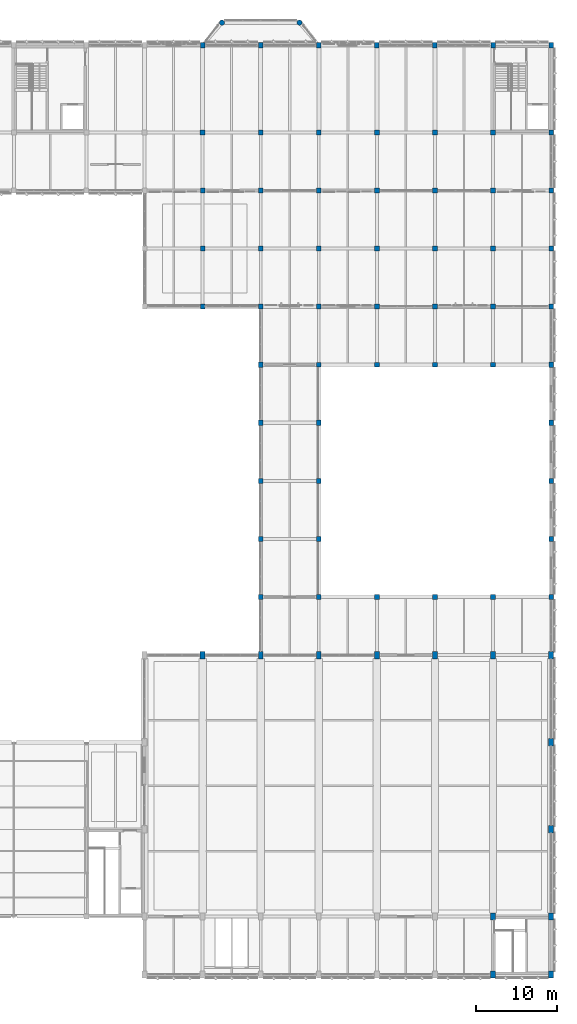
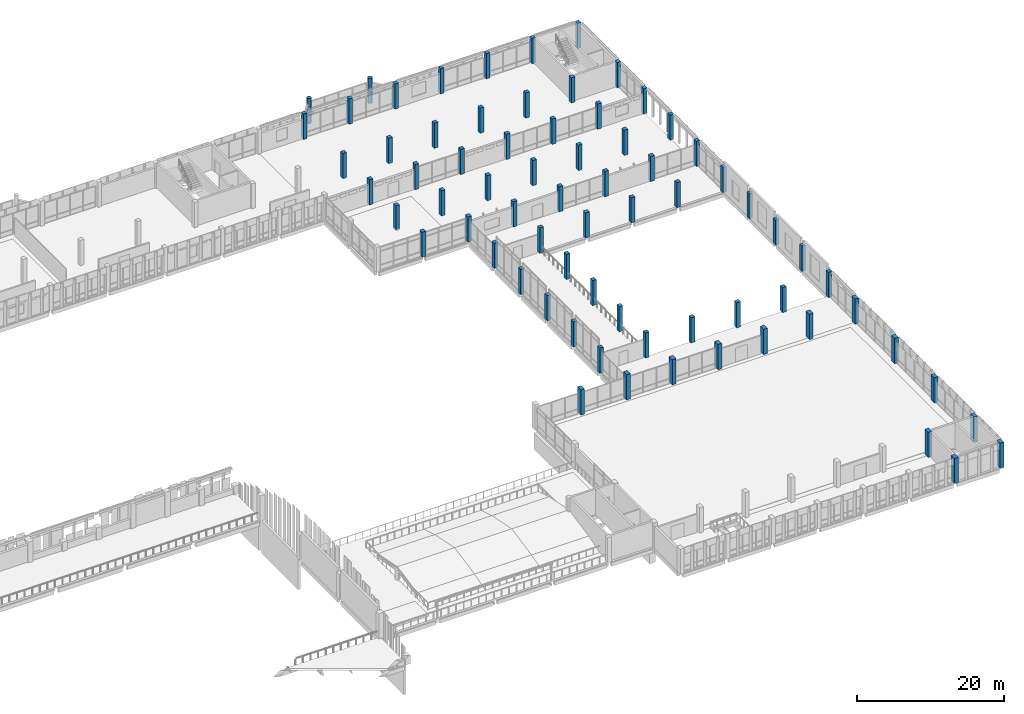
# One storey, part 5 of 158: 71 columns.
"""IFC4 building model written with IfcOpenShell, lengths in metres."""

from ifc_helpers import new_model, si_unit, direction, frame, origin, origin_2d, place, context, subcontext, project, spatial, rectangle, circle, extrude, material, material_profile, profile_set, type_object, element, save


model = new_model("IFC4")

# Units and contexts
model_context = context("Model", 3, precision=1e-05, world=origin(), true_north=direction((0.0, 1.0)))
body_context = subcontext(model_context, "Body", "Model", "MODEL_VIEW")
ifc_project = project(units=[si_unit("LENGTHUNIT", "METRE"), si_unit("AREAUNIT", "SQUARE_METRE"), si_unit("VOLUMEUNIT", "CUBIC_METRE"), si_unit("PLANEANGLEUNIT", "RADIAN"), si_unit("MASSUNIT", "GRAM", prefix="KILO")], contexts=[model_context])

# Site, building, storey
site_placement = place(None, origin())
site = spatial("IfcSite", under=ifc_project, at=site_placement, CompositionType="ELEMENT")
building_placement = place(site_placement, origin())
building = spatial("IfcBuilding", under=site, at=building_placement, Name="Lusvemor Sports Hall", CompositionType="ELEMENT")
storey_placement = place(building_placement, frame((0.0, 0.0, 10.800048828125)))
storey = spatial("IfcBuildingStorey", under=building, at=storey_placement, Name="L02", CompositionType="ELEMENT", Elevation=10.800048828125)

# Columns
ifc_material_1 = material(Name="Concrete C40/50", Category="concrete")
ifc_material_profile_1 = material_profile(ifc_material_1, circle(Radius=0.324951171875, at=origin_2d()), Name="RCCIRC650")
ifc_profile_set_1 = profile_set([ifc_material_profile_1], Name="Concrete C40/50")
column_type_1 = type_object("IfcColumnType", Name="COL_COLONNADE", PredefinedType="COLUMN", material=ifc_profile_set_1)
for number, where, z_axis, x_axis, name in (
    (1, (128.39990234375, 118.0, 0.0), (0.0, 0.0, 1.0), (1.0, 0.0, 0.0), "Art Nouveau Bow Column BOW-N3-1 (L02)"),
    (2, (138.0, 118.0, 0.0), (0.0, 0.0, 1.0), (1.0, 0.0, 0.0), "Art Nouveau Bow Column BOW-N3-2 (L02)"),
):
    element("IfcColumn", number, at=place(storey_placement, frame(where, z_axis=z_axis, x_axis=x_axis)), inside=storey, type_object=column_type_1, Name=name, PredefinedType="COLUMN", context=body_context, shape_type="SweptSolid", body=[
        extrude(circle(Radius=0.324951171875, at=origin_2d()), origin(), (0.0, 0.0, 1.0), 4.199951171875),
    ])
ifc_material_2 = material(Name="Concrete C40/50", Category="concrete")
ifc_material_profile_2 = material_profile(ifc_material_2, rectangle(XDim=0.60009765625, YDim=0.89990234375, at=origin_2d()), Name="RC600x900")
ifc_profile_set_2 = profile_set([ifc_material_profile_2], Name="Concrete C40/50")
column_type_2 = type_object("IfcColumnType", Name="COL_STACK_E", PredefinedType="COLUMN", material=ifc_profile_set_2)
for number, where, z_axis, x_axis, name in (
    (3, (126.0, 39.60009765625, 0.0), (0.0, 0.0, 1.0), (1.0, 0.0, 0.0), "Column 14/E (L02)"),
    (4, (133.199951171875, 39.60009765625, 0.0), (0.0, 0.0, 1.0), (1.0, 0.0, 0.0), "Column 15/E (L02)"),
    (5, (140.39990234375, 39.60009765625, 0.0), (0.0, 0.0, 1.0), (1.0, 0.0, 0.0), "Column 16/E (L02)"),
    (6, (147.60009765625, 39.60009765625, 0.0), (0.0, 0.0, 1.0), (1.0, 0.0, 0.0), "Column 17/E (L02)"),
    (7, (154.800048828125, 39.60009765625, 0.0), (0.0, 0.0, 1.0), (1.0, 0.0, 0.0), "Column 18/E (L02)"),
    (8, (162.0, 0.0, 0.0), (0.0, 0.0, 1.0), (1.0, 0.0, 0.0), "Column 19/A (L02)"),
    (9, (162.0, 7.199951171875, 0.0), (0.0, 0.0, 1.0), (1.0, 0.0, 0.0), "Column 19/B (L02)"),
    (10, (162.0, 39.60009765625, 0.0), (0.0, 0.0, 1.0), (1.0, 0.0, 0.0), "Column 19/E (L02)"),
    (11, (169.199951171875, 0.0, 0.0), (0.0, 0.0, 1.0), (1.0, 0.0, 0.0), "Column 20/A (L02)"),
    (12, (169.199951171875, 7.199951171875, 0.0), (0.0, 0.0, 1.0), (1.0, 0.0, 0.0), "Column 20/B (L02)"),
    (13, (169.199951171875, 18.0, 0.0), (0.0, 0.0, 1.0), (1.0, 0.0, 0.0), "Column 20/C (L02)"),
    (14, (169.199951171875, 28.800048828125, 0.0), (0.0, 0.0, 1.0), (1.0, 0.0, 0.0), "Column 20/D (L02)"),
    (15, (169.199951171875, 39.60009765625, 0.0), (0.0, 0.0, 1.0), (1.0, 0.0, 0.0), "Column 20/E (L02)"),
):
    element("IfcColumn", number, at=place(storey_placement, frame(where, z_axis=z_axis, x_axis=x_axis)), inside=storey, type_object=column_type_2, Name=name, PredefinedType="COLUMN", context=body_context, shape_type="SweptSolid", body=[
        extrude(rectangle(XDim=0.60009765625, YDim=0.89990234375, at=origin_2d()), origin(), (0.0, 0.0, 1.0), 4.199951171875),
    ])
ifc_material_3 = material(Name="Concrete C40/50", Category="concrete")
ifc_material_profile_3 = material_profile(ifc_material_3, rectangle(XDim=0.56005859375, YDim=0.639892578125, at=origin_2d()), Name="RC560x640")
ifc_profile_set_3 = profile_set([ifc_material_profile_3], Name="Concrete C40/50")
column_type_3 = type_object("IfcColumnType", Name="COL_WING_E", PredefinedType="COLUMN", material=ifc_profile_set_3)
for number, where, z_axis, x_axis, name in (
    (16, (126.0, 82.800048828125, 0.0), (0.0, 0.0, 1.0), (1.0, 0.0, 0.0), "Column 14/L (L02)"),
    (17, (126.0, 90.0, 0.0), (0.0, 0.0, 1.0), (1.0, 0.0, 0.0), "Column 14/M (L02)"),
    (18, (126.0, 97.199951171875, 0.0), (0.0, 0.0, 1.0), (1.0, 0.0, 0.0), "Column 14/N (L02)"),
    (19, (126.0, 115.199951171875, 0.0), (0.0, 0.0, 1.0), (1.0, 0.0, 0.0), "Column 14/Q (L02)"),
    (20, (133.199951171875, 46.800048828125, 0.0), (0.0, 0.0, 1.0), (1.0, 0.0, 0.0), "Column 15/F (L02)"),
    (21, (133.199951171875, 54.0, 0.0), (0.0, 0.0, 1.0), (1.0, 0.0, 0.0), "Column 15/G (L02)"),
    (22, (133.199951171875, 61.199951171875, 0.0), (0.0, 0.0, 1.0), (1.0, 0.0, 0.0), "Column 15/H (L02)"),
    (23, (133.199951171875, 68.39990234375, 0.0), (0.0, 0.0, 1.0), (1.0, 0.0, 0.0), "Column 15/J (L02)"),
    (24, (133.199951171875, 75.60009765625, 0.0), (0.0, 0.0, 1.0), (1.0, 0.0, 0.0), "Column 15/K (L02)"),
    (25, (133.199951171875, 82.800048828125, 0.0), (0.0, 0.0, 1.0), (1.0, 0.0, 0.0), "Column 15/L (L02)"),
    (26, (133.199951171875, 90.0, 0.0), (0.0, 0.0, 1.0), (1.0, 0.0, 0.0), "Column 15/M (L02)"),
    (27, (133.199951171875, 97.199951171875, 0.0), (0.0, 0.0, 1.0), (1.0, 0.0, 0.0), "Column 15/N (L02)"),
    (28, (133.199951171875, 115.199951171875, 0.0), (0.0, 0.0, 1.0), (1.0, 0.0, 0.0), "Column 15/Q (L02)"),
    (29, (140.39990234375, 54.0, 0.0), (0.0, 0.0, 1.0), (1.0, 0.0, 0.0), "Column 16/G (L02)"),
    (30, (140.39990234375, 61.199951171875, 0.0), (0.0, 0.0, 1.0), (1.0, 0.0, 0.0), "Column 16/H (L02)"),
    (31, (140.39990234375, 68.39990234375, 0.0), (0.0, 0.0, 1.0), (1.0, 0.0, 0.0), "Column 16/J (L02)"),
    (32, (140.39990234375, 115.199951171875, 0.0), (0.0, 0.0, 1.0), (1.0, 0.0, 0.0), "Column 16/Q (L02)"),
    (33, (147.60009765625, 115.199951171875, 0.0), (0.0, 0.0, 1.0), (1.0, 0.0, 0.0), "Column 17/Q (L02)"),
    (34, (154.800048828125, 115.199951171875, 0.0), (0.0, 0.0, 1.0), (1.0, 0.0, 0.0), "Column 18/Q (L02)"),
    (35, (162.0, 115.199951171875, 0.0), (0.0, 0.0, 1.0), (1.0, 0.0, 0.0), "Column 19/Q (L02)"),
    (36, (169.199951171875, 46.800048828125, 0.0), (0.0, 0.0, 1.0), (1.0, 0.0, 0.0), "Column 20/F (L02)"),
    (37, (169.199951171875, 54.0, 0.0), (0.0, 0.0, 1.0), (1.0, 0.0, 0.0), "Column 20/G (L02)"),
    (38, (169.199951171875, 61.199951171875, 0.0), (0.0, 0.0, 1.0), (1.0, 0.0, 0.0), "Column 20/H (L02)"),
    (39, (169.199951171875, 68.39990234375, 0.0), (0.0, 0.0, 1.0), (1.0, 0.0, 0.0), "Column 20/J (L02)"),
    (40, (169.199951171875, 75.60009765625, 0.0), (0.0, 0.0, 1.0), (1.0, 0.0, 0.0), "Column 20/K (L02)"),
    (41, (169.199951171875, 82.800048828125, 0.0), (0.0, 0.0, 1.0), (1.0, 0.0, 0.0), "Column 20/L (L02)"),
    (42, (169.199951171875, 90.0, 0.0), (0.0, 0.0, 1.0), (1.0, 0.0, 0.0), "Column 20/M (L02)"),
    (43, (169.199951171875, 97.199951171875, 0.0), (0.0, 0.0, 1.0), (1.0, 0.0, 0.0), "Column 20/N (L02)"),
    (44, (169.199951171875, 104.39990234375, 0.0), (0.0, 0.0, 1.0), (1.0, 0.0, 0.0), "Column 20/P (L02)"),
    (45, (169.199951171875, 115.199951171875, 0.0), (0.0, 0.0, 1.0), (1.0, 0.0, 0.0), "Column 20/Q (L02)"),
):
    element("IfcColumn", number, at=place(storey_placement, frame(where, z_axis=z_axis, x_axis=x_axis)), inside=storey, type_object=column_type_3, Name=name, PredefinedType="COLUMN", context=body_context, shape_type="SweptSolid", body=[
        extrude(rectangle(XDim=0.56005859375, YDim=0.639892578125, at=origin_2d()), origin(), (0.0, 0.0, 1.0), 4.199951171875),
    ])
ifc_material_4 = material(Name="Concrete C40/50", Category="concrete")
ifc_material_profile_4 = material_profile(ifc_material_4, rectangle(XDim=0.60009765625, YDim=0.60009765625, at=origin_2d()), Name="RC600x600")
ifc_profile_set_4 = profile_set([ifc_material_profile_4], Name="Concrete C40/50")
column_type_4 = type_object("IfcColumnType", Name="COL_WING_L", PredefinedType="COLUMN", material=ifc_profile_set_4)
for number, where, z_axis, x_axis, name in (
    (46, (126.0, 104.39990234375, 0.0), (0.0, 0.0, 1.0), (1.0, 0.0, 0.0), "Column 14/P (L02)"),
    (47, (133.199951171875, 104.39990234375, 0.0), (0.0, 0.0, 1.0), (1.0, 0.0, 0.0), "Column 15/P (L02)"),
    (48, (140.39990234375, 46.800048828125, 0.0), (0.0, 0.0, 1.0), (1.0, 0.0, 0.0), "Column 16/F (L02)"),
    (49, (140.39990234375, 75.60009765625, 0.0), (0.0, 0.0, 1.0), (1.0, 0.0, 0.0), "Column 16/K (L02)"),
    (50, (140.39990234375, 82.800048828125, 0.0), (0.0, 0.0, 1.0), (1.0, 0.0, 0.0), "Column 16/L (L02)"),
    (51, (140.39990234375, 90.0, 0.0), (0.0, 0.0, 1.0), (1.0, 0.0, 0.0), "Column 16/M (L02)"),
    (52, (140.39990234375, 97.199951171875, 0.0), (0.0, 0.0, 1.0), (1.0, 0.0, 0.0), "Column 16/N (L02)"),
    (53, (140.39990234375, 104.39990234375, 0.0), (0.0, 0.0, 1.0), (1.0, 0.0, 0.0), "Column 16/P (L02)"),
    (54, (147.60009765625, 46.800048828125, 0.0), (0.0, 0.0, 1.0), (1.0, 0.0, 0.0), "Column 17/F (L02)"),
    (55, (147.60009765625, 75.60009765625, 0.0), (0.0, 0.0, 1.0), (1.0, 0.0, 0.0), "Column 17/K (L02)"),
    (56, (147.60009765625, 82.800048828125, 0.0), (0.0, 0.0, 1.0), (1.0, 0.0, 0.0), "Column 17/L (L02)"),
    (57, (147.60009765625, 90.0, 0.0), (0.0, 0.0, 1.0), (1.0, 0.0, 0.0), "Column 17/M (L02)"),
    (58, (147.60009765625, 97.199951171875, 0.0), (0.0, 0.0, 1.0), (1.0, 0.0, 0.0), "Column 17/N (L02)"),
    (59, (147.60009765625, 104.39990234375, 0.0), (0.0, 0.0, 1.0), (1.0, 0.0, 0.0), "Column 17/P (L02)"),
    (60, (154.800048828125, 46.800048828125, 0.0), (0.0, 0.0, 1.0), (1.0, 0.0, 0.0), "Column 18/F (L02)"),
    (61, (154.800048828125, 75.60009765625, 0.0), (0.0, 0.0, 1.0), (1.0, 0.0, 0.0), "Column 18/K (L02)"),
    (62, (154.800048828125, 82.800048828125, 0.0), (0.0, 0.0, 1.0), (1.0, 0.0, 0.0), "Column 18/L (L02)"),
    (63, (154.800048828125, 90.0, 0.0), (0.0, 0.0, 1.0), (1.0, 0.0, 0.0), "Column 18/M (L02)"),
    (64, (154.800048828125, 97.199951171875, 0.0), (0.0, 0.0, 1.0), (1.0, 0.0, 0.0), "Column 18/N (L02)"),
    (65, (154.800048828125, 104.39990234375, 0.0), (0.0, 0.0, 1.0), (1.0, 0.0, 0.0), "Column 18/P (L02)"),
    (66, (162.0, 46.800048828125, 0.0), (0.0, 0.0, 1.0), (1.0, 0.0, 0.0), "Column 19/F (L02)"),
    (67, (162.0, 75.60009765625, 0.0), (0.0, 0.0, 1.0), (1.0, 0.0, 0.0), "Column 19/K (L02)"),
    (68, (162.0, 82.800048828125, 0.0), (0.0, 0.0, 1.0), (1.0, 0.0, 0.0), "Column 19/L (L02)"),
    (69, (162.0, 90.0, 0.0), (0.0, 0.0, 1.0), (1.0, 0.0, 0.0), "Column 19/M (L02)"),
    (70, (162.0, 97.199951171875, 0.0), (0.0, 0.0, 1.0), (1.0, 0.0, 0.0), "Column 19/N (L02)"),
    (71, (162.0, 104.39990234375, 0.0), (0.0, 0.0, 1.0), (1.0, 0.0, 0.0), "Column 19/P (L02)"),
):
    element("IfcColumn", number, at=place(storey_placement, frame(where, z_axis=z_axis, x_axis=x_axis)), inside=storey, type_object=column_type_4, Name=name, PredefinedType="COLUMN", context=body_context, shape_type="SweptSolid", body=[
        extrude(rectangle(XDim=0.60009765625, YDim=0.60009765625, at=origin_2d()), origin(), (0.0, 0.0, 1.0), 4.199951171875),
    ])

save(model, "model.ifc")
